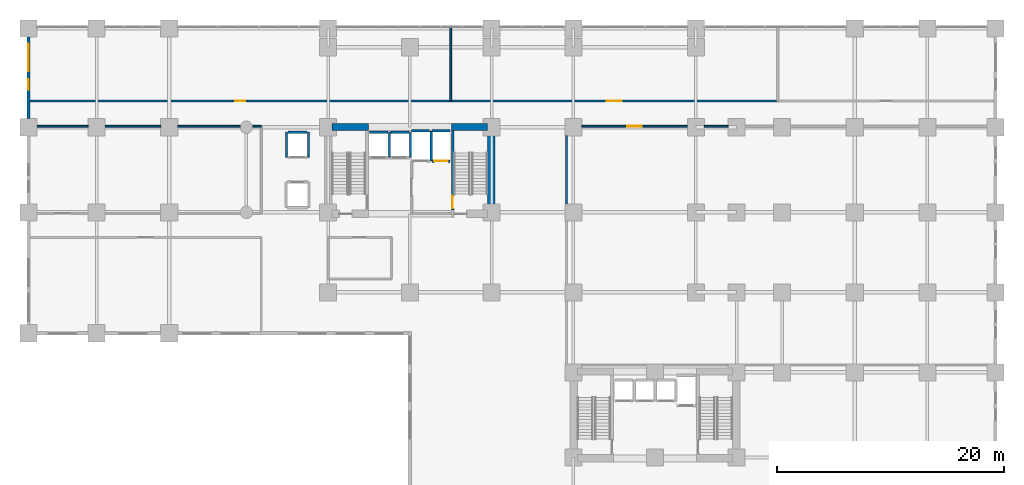
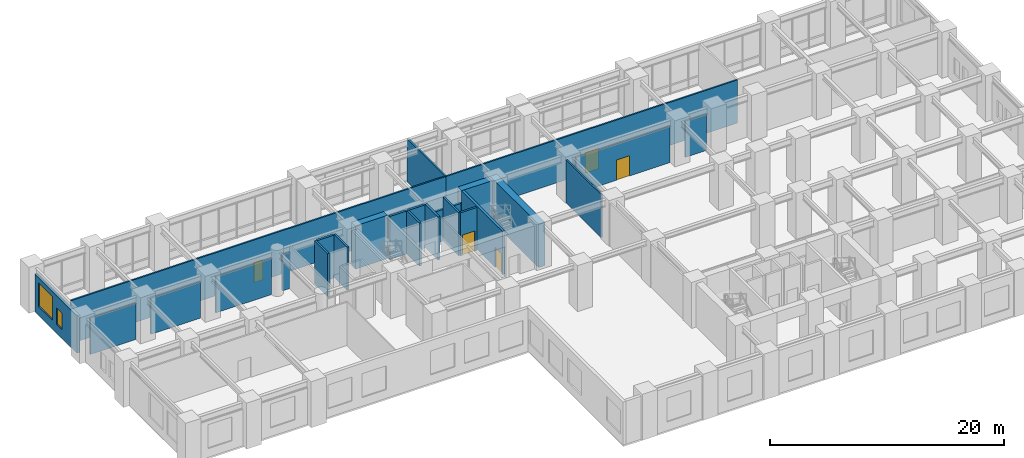
# One storey, part 17 of 22: 26 walls, 5 doors, 2 windows, 7 openings.
"""IFC4 building model written with IfcOpenShell, lengths in metres."""

import ifcopenshell
import ifcopenshell.guid

model = None  # the IFC model being written
_history = None  # IfcOwnerHistory: only IFC2X3 demands one
_inside = {}  # id of a spatial element -> (the spatial element, [elements in it])
_under = {}  # id of a project, library or spatial element -> (it, [spatial elements below it])
_declared = {}  # id of a project -> (the project, [libraries it declares])
_typed = {}  # id of a type object -> (the type object, [elements of that type])
_made_of = {}  # id of a material, layer set ... -> (it, [elements and type objects made of it])


def new_model(schema):
    """Start an empty IFC model of exactly this schema.

    Asked for "IFC4X3", IfcOpenShell would pick the latest addendum, in which some entities
    have other attributes; the version numbers below select the first issue.
    IFC2X3 requires an IfcOwnerHistory on every rooted entity: one is made here for all.
    """
    global model, _history
    if schema == "IFC4X3":
        model = ifcopenshell.file(schema_version=(4, 3, 0, 0))
    else:
        model = ifcopenshell.file(schema=schema)
    _inside.clear()
    _under.clear()
    _declared.clear()
    _typed.clear()
    _made_of.clear()
    _history = None
    if model.schema == "IFC2X3":
        org = make("IfcOrganization", Name="unknown")
        user = make(
            "IfcPersonAndOrganization",
            ThePerson=make("IfcPerson", FamilyName="unknown"),
            TheOrganization=org,
        )
        app = make(
            "IfcApplication",
            ApplicationDeveloper=org,
            Version="unknown",
            ApplicationFullName="unknown",
            ApplicationIdentifier="unknown",
        )
        _history = make(
            "IfcOwnerHistory",
            OwningUser=user,
            OwningApplication=app,
            ChangeAction="ADDED",
            CreationDate=0,
        )
    return model


def make(cls, **values):
    """One entity of the class cls with the attributes given. An attribute that is None is left unset."""
    return model.create_entity(
        cls, **{name: value for name, value in values.items() if value is not None}
    )


def rooted(cls, **values):
    """An entity with a GlobalId (a new one), such as an element, a storey or a relation."""
    return make(cls, GlobalId=ifcopenshell.guid.new(), OwnerHistory=_history, **values)


def si_unit(unit_type, name, prefix=None):
    """IfcSIUnit, for example si_unit("LENGTHUNIT", "METRE", prefix="MILLI")."""
    return make("IfcSIUnit", UnitType=unit_type, Prefix=prefix, Name=name)


def assignment(units):
    """IfcUnitAssignment: the units of a project."""
    return None if units is None else make("IfcUnitAssignment", Units=units)


def point(xyz):
    """IfcCartesianPoint."""
    return None if xyz is None else make("IfcCartesianPoint", Coordinates=xyz)


def direction(xyz):
    """IfcDirection."""
    return None if xyz is None else make("IfcDirection", DirectionRatios=xyz)


def frame(location, z_axis=None, x_axis=None):
    """IfcAxis2Placement3D, a coordinate frame: its origin and axes. An axis left out is left unset."""
    return make(
        "IfcAxis2Placement3D",
        Location=point(location),
        Axis=direction(z_axis),
        RefDirection=direction(x_axis),
    )


def frame_2d(location, x_axis=None):
    """IfcAxis2Placement2D, a coordinate frame in the plane: its origin and x axis."""
    return make(
        "IfcAxis2Placement2D", Location=point(location), RefDirection=direction(x_axis)
    )


def origin():
    """The frame at (0, 0, 0) with its axes left unset."""
    return frame((0.0, 0.0, 0.0))


def place(relative_to, where):
    """IfcLocalPlacement: puts the frame where relative to a parent placement (None: the world)."""
    return make(
        "IfcLocalPlacement", PlacementRelTo=relative_to, RelativePlacement=where
    )


def context(
    kind, dimensions, precision=None, world=None, true_north=None, identifier=None
):
    """IfcGeometricRepresentationContext, for example the 3D "Model" context."""
    return make(
        "IfcGeometricRepresentationContext",
        ContextIdentifier=identifier,
        ContextType=kind,
        CoordinateSpaceDimension=dimensions,
        Precision=precision,
        WorldCoordinateSystem=world,
        TrueNorth=true_north,
    )


def subcontext(parent, identifier, kind, view, scale=None):
    """IfcGeometricRepresentationSubContext, for example "Body" below "Model"."""
    return make(
        "IfcGeometricRepresentationSubContext",
        ContextIdentifier=identifier,
        ContextType=kind,
        ParentContext=parent,
        TargetScale=scale,
        TargetView=view,
    )


def project(units=None, contexts=None):
    """IfcProject with its units and contexts."""
    return rooted(
        "IfcProject",
        Name="project",
        RepresentationContexts=contexts,
        UnitsInContext=assignment(units),
    )


def spatial(cls, under=None, at=None, **own):
    """A site, building, storey or space (cls), placed at a placement, below another one or the project."""
    s = rooted(cls, ObjectPlacement=at, **own)
    if under is not None:
        _under.setdefault(under.id(), (under, []))[1].append(s)
    return s


def profile(cls, at=None, kind="AREA", **sizes):
    """A parametric profile (cls). Its sizes go by their IFC names, for example OverallWidth=200.0."""
    return make(cls, ProfileType=kind, Position=at, **sizes)


def rectangle(**sizes):
    """IfcRectangleProfileDef."""
    return profile("IfcRectangleProfileDef", **sizes)


def extrude(swept, where, along, depth):
    """IfcExtrudedAreaSolid: the profile swept, set in the frame where, extruded along a direction by depth."""
    return make(
        "IfcExtrudedAreaSolid",
        SweptArea=swept,
        Position=where,
        ExtrudedDirection=direction(along),
        Depth=depth,
    )


def shape(context_of_items, identifier, shape_type, items):
    """IfcShapeRepresentation: the items that make up one representation, for example the "Body"."""
    return make(
        "IfcShapeRepresentation",
        ContextOfItems=context_of_items,
        RepresentationIdentifier=identifier,
        RepresentationType=shape_type,
        Items=items,
    )


def material(Name=None, Category=None):
    """IfcMaterial."""
    return make("IfcMaterial", Name=Name, Category=Category)


def layer(
    of_material, thickness, ventilated=None, Name=None, Category=None, Priority=None
):
    """IfcMaterialLayer: one layer of a wall or slab, of a material (None: an air gap)."""
    return make(
        "IfcMaterialLayer",
        Material=of_material,
        LayerThickness=thickness,
        IsVentilated=ventilated,
        Name=Name,
        Category=Category,
        Priority=Priority,
    )


def layer_set(layers, Name=None):
    """IfcMaterialLayerSet."""
    return make("IfcMaterialLayerSet", MaterialLayers=layers, LayerSetName=Name)


def made_of(thing, what):
    """Note that an element or type object is made of a material, layer set ...; save() writes the relation."""
    if what is not None:
        _made_of.setdefault(what.id(), (what, []))[1].append(thing)
    return thing


def type_object(cls, material=None, **own):
    """A type object (cls), such as IfcWallType, which elements share."""
    return made_of(rooted(cls, **own), material)


def element(
    cls,
    number,
    at=None,
    inside=None,
    cuts=None,
    type_object=None,
    material=None,
    context=None,
    identifier="Body",
    shape_type=None,
    held_by="IfcProductDefinitionShape",
    body=None,
    shapes=None,
    **own,
):
    """One element of the class cls, such as IfcWall. Its Tag is "e" and its number.

    at: its placement. inside: the storey or other place that contains it. cuts: it is an
    opening in that element (IfcRelVoidsElement). A single representation is given by context,
    identifier, shape_type and body (its items); several are given by shapes. held_by: the class
    of the entity that holds the representations. save() writes the other relations.
    """
    e = rooted(cls, Tag="e%d" % number, ObjectPlacement=at, **own)
    if body is not None:
        shapes = [shape(context, identifier, shape_type, body)]
    if shapes is not None:
        e.Representation = make(held_by, Representations=shapes)
    if inside is not None:
        _inside.setdefault(inside.id(), (inside, []))[1].append(e)
    if cuts is not None:
        rooted(
            "IfcRelVoidsElement", RelatingBuildingElement=cuts, RelatedOpeningElement=e
        )
    if type_object is not None:
        _typed.setdefault(type_object.id(), (type_object, []))[1].append(e)
    return made_of(e, material)


def fill(opening, filler):
    """IfcRelFillsElement: the door or window that sits in an opening."""
    return rooted(
        "IfcRelFillsElement",
        RelatingOpeningElement=opening,
        RelatedBuildingElement=filler,
    )


def aggregate(whole, parts):
    """IfcRelAggregates: a whole, such as a stair, and the parts it consists of."""
    return rooted("IfcRelAggregates", RelatingObject=whole, RelatedObjects=parts)


def save(model, path):
    """Write the relations noted so far, then the file.

    IfcRelAggregates (storeys below a building ...), IfcRelContainedInSpatialStructure (elements
    in a storey), IfcRelDefinesByType, IfcRelAssociatesMaterial and IfcRelDeclares: one each for
    every whole, place, type object, material and project.
    """
    for whole, parts in _under.values():
        aggregate(whole, parts)
    for where, things in _inside.values():
        rooted(
            "IfcRelContainedInSpatialStructure",
            RelatedElements=things,
            RelatingStructure=where,
        )
    for kind, things in _typed.values():
        rooted("IfcRelDefinesByType", RelatedObjects=things, RelatingType=kind)
    for what, things in _made_of.values():
        rooted("IfcRelAssociatesMaterial", RelatedObjects=things, RelatingMaterial=what)
    for by, libraries in _declared.values():
        rooted("IfcRelDeclares", RelatingContext=by, RelatedDefinitions=libraries)
    model.write(path)


model = new_model("IFC4")

# Units and contexts
model_context = context("Model", 3, precision=1e-05, world=origin(), true_north=direction((0.0, 1.0)))
body_context = subcontext(model_context, "Body", "Model", "MODEL_VIEW")
ifc_project = project(units=[si_unit("LENGTHUNIT", "METRE"), si_unit("AREAUNIT", "SQUARE_METRE"), si_unit("VOLUMEUNIT", "CUBIC_METRE"), si_unit("PLANEANGLEUNIT", "RADIAN"), si_unit("MASSUNIT", "GRAM", prefix="KILO")], contexts=[model_context])

# Site, building, storey
site_placement = place(None, origin())
site = spatial("IfcSite", under=ifc_project, at=site_placement, CompositionType="ELEMENT")
building_placement = place(site_placement, origin())
building = spatial("IfcBuilding", under=site, at=building_placement, Name="Kaliganga Portal Commons", CompositionType="ELEMENT")
storey_placement = place(building_placement, frame((0.0, 0.0, 5.39990234375)))
storey = spatial("IfcBuildingStorey", under=building, at=storey_placement, Name="L01", CompositionType="ELEMENT", Elevation=5.39990234375)

# Walls
ifc_material_1 = material(Name="Concrete C70/85", Category="concrete")
ifc_layer_1 = layer(ifc_material_1, 0.64990234375)
ifc_layer_set_1 = layer_set([ifc_layer_1], Name="Concrete C70/85")
wall_type_1 = type_object("IfcWallType", Name="WL-CORE-650", PredefinedType="SHEAR", material=ifc_layer_set_1)
wall_1_placement = place(storey_placement, frame((28.77490234375, 28.199951171875, 0.0), z_axis=(0.0, 0.0, 1.0), x_axis=(0.0, 1.0, 0.0)))
element("IfcWall", 1, at=wall_1_placement, inside=storey, type_object=wall_type_1, Name="Core A East Shear Wall L01", PredefinedType="SHEAR", context=body_context, shape_type="SweptSolid", body=[
    extrude(rectangle(XDim=8.300048828125, YDim=0.64990234375, at=frame_2d((4.14990234375, 0.0))), origin(), (0.0, 0.0, 1.0), 4.52001953125),
])
for number, where, z_axis, x_axis, name in (
    (2, (14.75, 36.175048828125, 0.0), (0.0, 0.0, 1.0), (1.0, 0.0, 0.0), "Core A N-West Shear Wall L01"),
    (3, (25.25, 36.175048828125, 0.0), (0.0, 0.0, 1.0), (1.0, 0.0, 0.0), "Core A N-East Shear Wall L01"),
):
    element("IfcWall", number, at=place(storey_placement, frame(where, z_axis=z_axis, x_axis=x_axis)), inside=storey, type_object=wall_type_1, Name=name, PredefinedType="SHEAR", context=body_context, shape_type="SweptSolid", body=[
        extrude(rectangle(XDim=3.199951171875, YDim=0.64990234375, at=frame_2d((1.60009765625, 0.0))), origin(), (0.0, 0.0, 1.0), 4.52001953125),
    ])

# Wall, openings, windows
ifc_material_2 = material(Name="Precast concrete C40/50", Category="concrete")
ifc_layer_2 = layer(ifc_material_2, 0.300048828125)
ifc_layer_set_2 = layer_set([ifc_layer_2], Name="Precast concrete C40/50")
wall_type_2 = type_object("IfcWallType", Name="WL-EXT-POD-300", PredefinedType="STANDARD", material=ifc_layer_set_2)
wall_2_placement = place(storey_placement, frame((-12.0, 36.90087890625, 0.0), z_axis=(0.0, 0.0, 1.0), x_axis=(0.0, 1.0, 0.0)))
wall_2 = element("IfcWall", 4, at=wall_2_placement, inside=storey, type_object=wall_type_2, Name="Exterior Envelope Wall L01 P1-E03-S1", PredefinedType="STANDARD", context=body_context, shape_type="SweptSolid", body=[
    extrude(rectangle(XDim=7.1982421875, YDim=0.300048828125, at=frame_2d((3.59912109375, 0.0))), origin(), (0.0, 0.0, 1.0), 3.900146484375),
])
opening_1_placement = place(wall_2_placement, frame((4.198486328125, 0.0, 0.89990234375)))
opening_1 = element("IfcOpeningElement", 5, at=opening_1_placement, cuts=wall_2, Name="Opening W-05", PredefinedType="OPENING", context=body_context, shape_type="SweptSolid", body=[
    extrude(rectangle(XDim=2.39990234375, YDim=2.5, at=frame_2d((1.199951171875, 1.25))), frame((0.0, 0.16015625, 0.0), z_axis=(0.0, -1.0, 0.0), x_axis=(1.0, 0.0, 0.0)), (0.0, 0.0, 1.0), 0.320068359375),
])
opening_2_placement = place(wall_2_placement, frame((2.548095703125, 0.0, 0.89990234375)))
opening_2 = element("IfcOpeningElement", 6, at=opening_2_placement, cuts=wall_2, Name="Opening W-04", PredefinedType="OPENING", context=body_context, shape_type="SweptSolid", body=[
    extrude(rectangle(XDim=0.949951171875, YDim=1.75, at=frame_2d((0.47509765625, 0.875))), frame((0.0, 0.16015625, 0.0), z_axis=(0.0, -1.0, 0.0), x_axis=(1.0, 0.0, 0.0)), (0.0, 0.0, 1.0), 0.320068359375),
])
ifc_material_3 = material(Name="Thermally Broken Aluminium and Low-E Double Glazing", Category="aluminium")
window_type_1 = type_object("IfcWindowType", Name="WIN-NARROW-950", PartitioningType="SINGLE_PANEL", PredefinedType="WINDOW", material=ifc_material_3)
window_1_placement = place(opening_2_placement, origin())
window_1 = element("IfcWindow", 7, at=window_1_placement, inside=storey, type_object=window_type_1, Name="Facade Window L01-P1E03S1-N5", OverallHeight=1.75, OverallWidth=0.949951171875, PartitioningType="SINGLE_PANEL", PredefinedType="WINDOW", context=body_context, shape_type="SweptSolid", body=[
    extrude(rectangle(XDim=0.949951171875, YDim=1.75, at=frame_2d((0.47509765625, 0.875))), frame((0.0, 0.030029296875, 0.0), z_axis=(0.0, -1.0, 0.0), x_axis=(1.0, 0.0, 0.0)), (0.0, 0.0, 1.0), 0.06005859375),
])
fill(opening_2, window_1)
window_type_2 = type_object("IfcWindowType", Name="WIN-POD-2400", PartitioningType="TRIPLE_PANEL_VERTICAL", PredefinedType="WINDOW", material=ifc_material_3)
window_2_placement = place(opening_1_placement, origin())
window_2 = element("IfcWindow", 8, at=window_2_placement, inside=storey, type_object=window_type_2, Name="Facade Window L01-P1E03S1-01", OverallHeight=2.5, OverallWidth=2.39990234375, PartitioningType="SINGLE_PANEL", PredefinedType="WINDOW", context=body_context, shape_type="SweptSolid", body=[
    extrude(rectangle(XDim=2.39990234375, YDim=2.5, at=frame_2d((1.199951171875, 1.25))), frame((0.0, 0.030029296875, 0.0), z_axis=(0.0, -1.0, 0.0), x_axis=(1.0, 0.0, 0.0)), (0.0, 0.0, 1.0), 0.06005859375),
])
fill(opening_1, window_2)

# Wall, opening, door
ifc_material_4 = material(Name="Fire-Rated Gypsum Board on Steel Stud", Category="steel")
ifc_layer_3 = layer(ifc_material_4, 0.14990234375)
ifc_layer_set_3 = layer_set([ifc_layer_3], Name="Fire-Rated Gypsum Board on Steel Stud")
wall_type_3 = type_object("IfcWallType", Name="WL-PART-CORR-150", PredefinedType="PARTITIONING", material=ifc_layer_set_3)
wall_3_placement = place(storey_placement, frame((36.75, 36.239990234375, 0.0), z_axis=(0.0, 0.0, 1.0), x_axis=(1.0, 0.0, 0.0)))
wall_3 = element("IfcWall", 9, at=wall_3_placement, inside=storey, type_object=wall_type_3, Name="Interior Partition L01-001", PredefinedType="PARTITIONING", context=body_context, shape_type="SweptSolid", body=[
    extrude(rectangle(XDim=9.300048828125, YDim=0.14990234375, at=frame_2d((4.64990234375, 0.0))), origin(), (0.0, 0.0, 1.0), 3.800048828125),
])
opening_3_placement = place(wall_3_placement, frame((4.0, 0.0, 0.0)))
opening_3 = element("IfcOpeningElement", 10, at=opening_3_placement, cuts=wall_3, Name="Opening RD-03", PredefinedType="OPENING", context=body_context, shape_type="SweptSolid", body=[
    extrude(rectangle(XDim=1.300048828125, YDim=2.1201171875, at=frame_2d((0.64990234375, 1.06005859375))), frame((0.0, 0.0849609375, 0.0), z_axis=(0.0, -1.0, 0.0), x_axis=(1.0, 0.0, 0.0)), (0.0, 0.0, 1.0), 0.169921875),
])
ifc_material_5 = material(Name="Glazed Timber Seminar Vision Door", Category="wood")
door_type_1 = type_object("IfcDoorType", Name="DR-STUDY-1300", OperationType="DOUBLE_DOOR_SINGLE_SWING", PredefinedType="DOOR", material=ifc_material_5)
door_1_placement = place(opening_3_placement, origin())
door_1 = element("IfcDoor", 11, at=door_1_placement, inside=storey, type_object=door_type_1, Name="Interior Door L01-TEA", OperationType="DOUBLE_DOOR_SINGLE_SWING", OverallHeight=2.1201171875, OverallWidth=1.300048828125, PredefinedType="DOOR", context=body_context, shape_type="SweptSolid", body=[
    extrude(rectangle(XDim=1.300048828125, YDim=2.1201171875, at=frame_2d((0.64990234375, 1.06005859375))), frame((0.0, 0.02490234375, 0.0), z_axis=(0.0, -1.0, 0.0), x_axis=(1.0, 0.0, 0.0)), (0.0, 0.0, 1.0), 0.050048828125),
])
fill(opening_3, door_1)

# Wall
wall_4_placement = place(storey_placement, frame((47.550048828125, 36.239990234375, 0.0), z_axis=(0.0, 0.0, 1.0), x_axis=(1.0, 0.0, 0.0)))
element("IfcWall", 12, at=wall_4_placement, inside=storey, type_object=wall_type_3, Name="Interior Partition L01-002", PredefinedType="PARTITIONING", context=body_context, shape_type="SweptSolid", body=[
    extrude(rectangle(XDim=2.099853515625, YDim=0.14990234375, at=frame_2d((1.0498046875, 0.0))), origin(), (0.0, 0.0, 1.0), 3.800048828125),
])

# Wall, opening, door
wall_5_placement = place(storey_placement, frame((-11.867919921875, 38.4599609375, 0.0), z_axis=(0.0, 0.0, 1.0), x_axis=(1.0, 0.0, 0.0)))
wall_5 = element("IfcWall", 13, at=wall_5_placement, inside=storey, type_object=wall_type_3, Name="Interior Partition L01-007", PredefinedType="PARTITIONING", context=body_context, shape_type="SweptSolid", body=[
    extrude(rectangle(XDim=37.06787109375, YDim=0.14990234375, at=frame_2d((18.533935546875, 0.0))), origin(), (0.0, 0.0, 1.0), 4.5),
])
opening_4_placement = place(wall_5_placement, frame((18.083984375, 0.0, 0.0)))
opening_4 = element("IfcOpeningElement", 14, at=opening_4_placement, cuts=wall_5, Name="Opening RD-01", PredefinedType="OPENING", context=body_context, shape_type="SweptSolid", body=[
    extrude(rectangle(XDim=0.89990234375, YDim=2.080078125, at=frame_2d((0.449951171875, 1.0400390625))), frame((0.0, 0.0849609375, 0.0), z_axis=(0.0, -1.0, 0.0), x_axis=(1.0, 0.0, 0.0)), (0.0, 0.0, 1.0), 0.169921875),
])
ifc_material_6 = material(Name="Engineered Timber Flush Door", Category="wood")
door_type_2 = type_object("IfcDoorType", Name="DR-ROOM-900", OperationType="NOTDEFINED", PredefinedType="DOOR", material=ifc_material_6)
door_2_placement = place(opening_4_placement, origin())
door_2 = element("IfcDoor", 15, at=door_2_placement, inside=storey, type_object=door_type_2, Name="Interior Door L01-DHALL_W", OperationType="SINGLE_SWING_RIGHT", OverallHeight=2.080078125, OverallWidth=0.89990234375, PredefinedType="DOOR", context=body_context, shape_type="SweptSolid", body=[
    extrude(rectangle(XDim=0.89990234375, YDim=2.080078125, at=frame_2d((0.449951171875, 1.0400390625))), frame((0.0, 0.02490234375, 0.0), z_axis=(0.0, -1.0, 0.0), x_axis=(1.0, 0.0, 0.0)), (0.0, 0.0, 1.0), 0.050048828125),
])
fill(opening_4, door_2)

wall_6_placement = place(storey_placement, frame((25.199951171875, 38.4599609375, 0.0), z_axis=(0.0, 0.0, 1.0), x_axis=(1.0, 0.0, 0.0)))
wall_6 = element("IfcWall", 16, at=wall_6_placement, inside=storey, type_object=wall_type_3, Name="Interior Partition L01-008", PredefinedType="PARTITIONING", context=body_context, shape_type="SweptSolid", body=[
    extrude(rectangle(XDim=28.800048828125, YDim=0.14990234375, at=frame_2d((14.39990234375, 0.0))), origin(), (0.0, 0.0, 1.0), 4.5),
])
opening_5_placement = place(wall_6_placement, frame((13.75, 0.0, 0.0)))
opening_5 = element("IfcOpeningElement", 17, at=opening_5_placement, cuts=wall_6, Name="Opening RD-03", PredefinedType="OPENING", context=body_context, shape_type="SweptSolid", body=[
    extrude(rectangle(XDim=1.300048828125, YDim=2.1201171875, at=frame_2d((0.64990234375, 1.06005859375))), frame((0.0, 0.0849609375, 0.0), z_axis=(0.0, -1.0, 0.0), x_axis=(1.0, 0.0, 0.0)), (0.0, 0.0, 1.0), 0.169921875),
])
door_3_placement = place(opening_5_placement, origin())
door_3 = element("IfcDoor", 18, at=door_3_placement, inside=storey, type_object=door_type_1, Name="Interior Door L01-DHALL_E", OperationType="DOUBLE_DOOR_SINGLE_SWING", OverallHeight=2.1201171875, OverallWidth=1.300048828125, PredefinedType="DOOR", context=body_context, shape_type="SweptSolid", body=[
    extrude(rectangle(XDim=1.300048828125, YDim=2.1201171875, at=frame_2d((0.64990234375, 1.06005859375))), frame((0.0, 0.02490234375, 0.0), z_axis=(0.0, -1.0, 0.0), x_axis=(1.0, 0.0, 0.0)), (0.0, 0.0, 1.0), 0.050048828125),
])
fill(opening_5, door_3)

# Walls
wall_7_placement = place(storey_placement, frame((35.39990234375, 29.39990234375, 0.0), z_axis=(0.0, 0.0, 1.0), x_axis=(0.0, 1.0, 0.0)))
element("IfcWall", 19, at=wall_7_placement, inside=storey, type_object=wall_type_3, Name="Interior Partition L01-011", PredefinedType="PARTITIONING", context=body_context, shape_type="SweptSolid", body=[
    extrude(rectangle(XDim=6.0, YDim=0.14990234375, at=frame_2d((3.0, 0.0))), origin(), (0.0, 0.0, 1.0), 4.5),
])
wall_8_placement = place(storey_placement, frame((-11.25, 36.239990234375, 0.0), z_axis=(0.0, 0.0, 1.0), x_axis=(1.0, 0.0, 0.0)))
element("IfcWall", 20, at=wall_8_placement, inside=storey, type_object=wall_type_3, Name="Interior Partition L01-017", PredefinedType="PARTITIONING", context=body_context, shape_type="SweptSolid", body=[
    extrude(rectangle(XDim=4.5, YDim=0.14990234375, at=frame_2d((2.25, 0.0))), origin(), (0.0, 0.0, 1.0), 3.800048828125),
])
wall_9_placement = place(storey_placement, frame((-5.25, 36.239990234375, 0.0), z_axis=(0.0, 0.0, 1.0), x_axis=(1.0, 0.0, 0.0)))
element("IfcWall", 21, at=wall_9_placement, inside=storey, type_object=wall_type_3, Name="Interior Partition L01-018", PredefinedType="PARTITIONING", context=body_context, shape_type="SweptSolid", body=[
    extrude(rectangle(XDim=4.89990234375, YDim=0.14990234375, at=frame_2d((2.449951171875, 0.0))), origin(), (0.0, 0.0, 1.0), 3.800048828125),
])
wall_10_placement = place(storey_placement, frame((1.14990234375, 36.239990234375, 0.0), z_axis=(0.0, 0.0, 1.0), x_axis=(1.0, 0.0, 0.0)))
element("IfcWall", 22, at=wall_10_placement, inside=storey, type_object=wall_type_3, Name="Interior Partition L01-019", PredefinedType="PARTITIONING", context=body_context, shape_type="SweptSolid", body=[
    extrude(rectangle(XDim=5.5, YDim=0.14990234375, at=frame_2d((2.75, 0.0))), origin(), (0.0, 0.0, 1.0), 3.800048828125),
])
wall_11_placement = place(storey_placement, frame((7.75, 36.239990234375, 0.0), z_axis=(0.0, 0.0, 1.0), x_axis=(1.0, 0.0, 0.0)))
element("IfcWall", 23, at=wall_11_placement, inside=storey, type_object=wall_type_3, Name="Interior Partition L01-020", PredefinedType="PARTITIONING", context=body_context, shape_type="SweptSolid", body=[
    extrude(rectangle(XDim=0.75, YDim=0.14990234375, at=frame_2d((0.375, 0.0))), origin(), (0.0, 0.0, 1.0), 3.800048828125),
])
ifc_material_7 = material(Name="Twin-Stud Acoustic Gypsum Partition", Category="gypsum")
ifc_layer_4 = layer(ifc_material_7, 0.1650390625)
ifc_layer_set_4 = layer_set([ifc_layer_4], Name="Twin-Stud Acoustic Gypsum Partition")
wall_type_4 = type_object("IfcWallType", Name="WL-PART-UNIT-165", PredefinedType="PARTITIONING", material=ifc_layer_set_4)
wall_12_placement = place(storey_placement, frame((25.199951171875, 38.4599609375, 0.0), z_axis=(0.0, 0.0, 1.0), x_axis=(0.0, 1.0, 0.0)))
element("IfcWall", 24, at=wall_12_placement, inside=storey, type_object=wall_type_4, Name="Interior Partition L01-031", PredefinedType="PARTITIONING", context=body_context, shape_type="SweptSolid", body=[
    extrude(rectangle(XDim=6.52001953125, YDim=0.1650390625, at=frame_2d((3.260009765625, 0.0))), origin(), (0.0, 0.0, 1.0), 4.5),
])
ifc_material_8 = material(Name="Fire-Rated Shaftwall Masonry Assembly", Category="masonry")
ifc_layer_5 = layer(ifc_material_8, 0.199951171875)
ifc_layer_set_5 = layer_set([ifc_layer_5], Name="Fire-Rated Shaftwall Masonry Assembly")
wall_type_5 = type_object("IfcWallType", Name="WL-SHAFT-200", PredefinedType="PARTITIONING", material=ifc_layer_set_5)
wall_13_placement = place(storey_placement, frame((18.02490234375, 35.715087890625, 0.0), z_axis=(0.0, 0.0, 1.0), x_axis=(1.0, 0.0, 0.0)))
element("IfcWall", 25, at=wall_13_placement, inside=storey, type_object=wall_type_5, Name="Lift PL-A1 Hoistway Shaft Wall L01-N", PredefinedType="PARTITIONING", context=body_context, shape_type="SweptSolid", body=[
    extrude(rectangle(XDim=1.650146484375, YDim=0.199951171875, at=frame_2d((0.8251953125, 0.0))), origin(), (0.0, 0.0, 1.0), 4.5),
])
wall_14_placement = place(storey_placement, frame((19.81494140625, 33.485107421875, 0.0), z_axis=(0.0, 0.0, 1.0), x_axis=(0.0, 1.0, 0.0)))
element("IfcWall", 26, at=wall_14_placement, inside=storey, type_object=wall_type_5, Name="Lift PL-A1 Hoistway Shaft Wall L01-E", PredefinedType="PARTITIONING", context=body_context, shape_type="SweptSolid", body=[
    extrude(rectangle(XDim=2.22998046875, YDim=0.199951171875, at=frame_2d((1.114990234375, 0.0))), origin(), (0.0, 0.0, 1.0), 4.5),
])
wall_15_placement = place(storey_placement, frame((19.875, 35.715087890625, 0.0), z_axis=(0.0, 0.0, 1.0), x_axis=(1.0, 0.0, 0.0)))
element("IfcWall", 27, at=wall_15_placement, inside=storey, type_object=wall_type_5, Name="Lift PL-A2 Hoistway Shaft Wall L01-N", PredefinedType="PARTITIONING", context=body_context, shape_type="SweptSolid", body=[
    extrude(rectangle(XDim=1.64990234375, YDim=0.199951171875, at=frame_2d((0.824951171875, 0.0))), origin(), (0.0, 0.0, 1.0), 4.5),
])
wall_16_placement = place(storey_placement, frame((21.6650390625, 33.485107421875, 0.0), z_axis=(0.0, 0.0, 1.0), x_axis=(0.0, 1.0, 0.0)))
element("IfcWall", 28, at=wall_16_placement, inside=storey, type_object=wall_type_5, Name="Lift PL-A2 Hoistway Shaft Wall L01-E", PredefinedType="PARTITIONING", context=body_context, shape_type="SweptSolid", body=[
    extrude(rectangle(XDim=2.22998046875, YDim=0.199951171875, at=frame_2d((1.114990234375, 0.0))), origin(), (0.0, 0.0, 1.0), 4.5),
])
wall_17_placement = place(storey_placement, frame((10.875, 35.715087890625, 0.0), z_axis=(0.0, 0.0, 1.0), x_axis=(1.0, 0.0, 0.0)))
element("IfcWall", 29, at=wall_17_placement, inside=storey, type_object=wall_type_5, Name="Lift PL-OBS Hoistway Shaft Wall L01-N", PredefinedType="PARTITIONING", context=body_context, shape_type="SweptSolid", body=[
    extrude(rectangle(XDim=1.64990234375, YDim=0.199951171875, at=frame_2d((0.824951171875, 0.0))), origin(), (0.0, 0.0, 1.0), 4.5),
])
for number, where, z_axis, x_axis, name in (
    (30, (10.735107421875, 33.485107421875, 0.0), (0.0, 0.0, 1.0), (0.0, 1.0, 0.0), "Lift PL-OBS Hoistway Shaft Wall L01-W"),
    (31, (12.6650390625, 33.485107421875, 0.0), (0.0, 0.0, 1.0), (0.0, 1.0, 0.0), "Lift PL-OBS Hoistway Shaft Wall L01-E"),
):
    element("IfcWall", number, at=place(storey_placement, frame(where, z_axis=z_axis, x_axis=x_axis)), inside=storey, type_object=wall_type_5, Name=name, PredefinedType="PARTITIONING", context=body_context, shape_type="SweptSolid", body=[
        extrude(rectangle(XDim=2.22998046875, YDim=0.199951171875, at=frame_2d((1.114990234375, 0.0))), origin(), (0.0, 0.0, 1.0), 4.5),
    ])
wall_18_placement = place(storey_placement, frame((21.75, 35.840087890625, 0.0), z_axis=(0.0, 0.0, 1.0), x_axis=(1.0, 0.0, 0.0)))
element("IfcWall", 32, at=wall_18_placement, inside=storey, type_object=wall_type_5, Name="Lift FFL-1 Hoistway Shaft Wall L01-N", PredefinedType="PARTITIONING", context=body_context, shape_type="SweptSolid", body=[
    extrude(rectangle(XDim=1.60009765625, YDim=0.199951171875, at=frame_2d((0.800048828125, 0.0))), origin(), (0.0, 0.0, 1.0), 3.300048828125),
])
wall_19_placement = place(storey_placement, frame((23.489990234375, 33.159912109375, 0.0), z_axis=(0.0, 0.0, 1.0), x_axis=(0.0, 1.0, 0.0)))
element("IfcWall", 33, at=wall_19_placement, inside=storey, type_object=wall_type_5, Name="Lift FFL-1 Hoistway Shaft Wall L01-E", PredefinedType="PARTITIONING", context=body_context, shape_type="SweptSolid", body=[
    extrude(rectangle(XDim=2.68017578125, YDim=0.199951171875, at=frame_2d((1.340087890625, 0.0))), origin(), (0.0, 0.0, 1.0), 4.5),
])

# Wall, opening, door
wall_20_placement = place(storey_placement, frame((23.550048828125, 33.159912109375, 0.0), z_axis=(0.0, 0.0, 1.0), x_axis=(1.0, 0.0, 0.0)))
wall_20 = element("IfcWall", 34, at=wall_20_placement, inside=storey, type_object=wall_type_5, Name="Lift FFL-2 Hoistway Shaft Wall L01-S", PredefinedType="PARTITIONING", context=body_context, shape_type="SweptSolid", body=[
    extrude(rectangle(XDim=1.599853515625, YDim=0.199951171875, at=frame_2d((0.7998046875, 0.0))), origin(), (0.0, 0.0, 1.0), 4.5),
])
opening_6_placement = place(wall_20_placement, frame((0.199951171875, 0.0, 0.0)))
opening_6 = element("IfcOpeningElement", 35, at=opening_6_placement, cuts=wall_20, Name="Opening LD-02", PredefinedType="OPENING", context=body_context, shape_type="SweptSolid", body=[
    extrude(rectangle(XDim=1.199951171875, YDim=2.1201171875, at=frame_2d((0.60009765625, 1.06005859375))), frame((0.0, 0.10986328125, 0.0), z_axis=(0.0, -1.0, 0.0), x_axis=(1.0, 0.0, 0.0)), (0.0, 0.0, 1.0), 0.219970703125),
])
ifc_material_9 = material(Name="Brushed Stainless Steel 316 Stretcher Lift Landing Door", Category="steel")
door_type_3 = type_object("IfcDoorType", Name="DR-LIFT-1200", OperationType="SLIDING_TO_RIGHT", PredefinedType="DOOR", material=ifc_material_9)
door_4_placement = place(opening_6_placement, origin())
door_4 = element("IfcDoor", 36, at=door_4_placement, inside=storey, type_object=door_type_3, Name="Lift FFL-2 Sliding Landing Door L01", OperationType="SLIDING_TO_RIGHT", OverallHeight=2.1201171875, OverallWidth=1.199951171875, PredefinedType="DOOR", context=body_context, shape_type="SweptSolid", body=[
    extrude(rectangle(XDim=1.199951171875, YDim=2.1201171875, at=frame_2d((0.60009765625, 1.06005859375))), frame((0.0, 0.02490234375, 0.0), z_axis=(0.0, -1.0, 0.0), x_axis=(1.0, 0.0, 0.0)), (0.0, 0.0, 1.0), 0.050048828125),
])
fill(opening_6, door_4)

# Wall
wall_21_placement = place(storey_placement, frame((23.550048828125, 35.840087890625, 0.0), z_axis=(0.0, 0.0, 1.0), x_axis=(1.0, 0.0, 0.0)))
element("IfcWall", 37, at=wall_21_placement, inside=storey, type_object=wall_type_5, Name="Lift FFL-2 Hoistway Shaft Wall L01-N", PredefinedType="PARTITIONING", context=body_context, shape_type="SweptSolid", body=[
    extrude(rectangle(XDim=1.599853515625, YDim=0.199951171875, at=frame_2d((0.7998046875, 0.0))), origin(), (0.0, 0.0, 1.0), 3.300048828125),
])

# Wall, opening, door
ifc_material_10 = material(Name="Concrete C50/60", Category="concrete")
ifc_layer_6 = layer(ifc_material_10, 0.25)
ifc_layer_set_6 = layer_set([ifc_layer_6], Name="Concrete C50/60")
wall_type_6 = type_object("IfcWallType", Name="WL-STAIR-250", PredefinedType="SHEAR", material=ifc_layer_set_6)
wall_22_placement = place(storey_placement, frame((25.375, 28.85009765625, 0.0), z_axis=(0.0, 0.0, 1.0), x_axis=(0.0, 1.0, 0.0)))
wall_22 = element("IfcWall", 38, at=wall_22_placement, inside=storey, type_object=wall_type_6, Name="Stair A2 Enclosure Shear Wall L01", PredefinedType="SHEAR", context=body_context, shape_type="SweptSolid", body=[
    extrude(rectangle(XDim=7.0, YDim=0.25, at=frame_2d((3.5, 0.0))), origin(), (0.0, 0.0, 1.0), 4.52001953125),
])
opening_7_placement = place(wall_22_placement, frame((0.14990234375, 0.0, 0.0)))
opening_7 = element("IfcOpeningElement", 39, at=opening_7_placement, cuts=wall_22, Name="Opening SD-01", PredefinedType="OPENING", context=body_context, shape_type="SweptSolid", body=[
    extrude(rectangle(XDim=1.10009765625, YDim=2.080078125, at=frame_2d((0.550048828125, 1.0400390625))), frame((0.0, 0.135009765625, 0.0), z_axis=(0.0, -1.0, 0.0), x_axis=(1.0, 0.0, 0.0)), (0.0, 0.0, 1.0), 0.27001953125),
])
ifc_material_11 = material(Name="Galvanized Steel Fire Door Leaf and Frame", Category="steel")
door_type_4 = type_object("IfcDoorType", Name="DR-STAIR-1100", OperationType="NOTDEFINED", PredefinedType="DOOR", material=ifc_material_11)
door_5_placement = place(opening_7_placement, origin())
door_5 = element("IfcDoor", 40, at=door_5_placement, inside=storey, type_object=door_type_4, Name="Protected Stair ST-A2 Fire Door L01", OperationType="SINGLE_SWING_RIGHT", OverallHeight=2.080078125, OverallWidth=1.10009765625, PredefinedType="DOOR", context=body_context, shape_type="SweptSolid", body=[
    extrude(rectangle(XDim=1.10009765625, YDim=2.080078125, at=frame_2d((0.550048828125, 1.0400390625))), frame((0.0, 0.02490234375, 0.0), z_axis=(0.0, -1.0, 0.0), x_axis=(1.0, 0.0, 0.0)), (0.0, 0.0, 1.0), 0.050048828125),
])
fill(opening_7, door_5)

save(model, "model.ifc")
